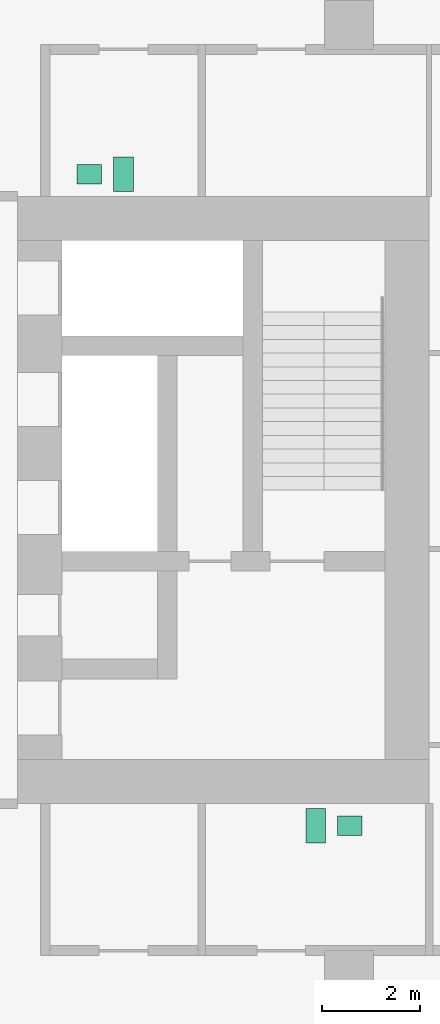
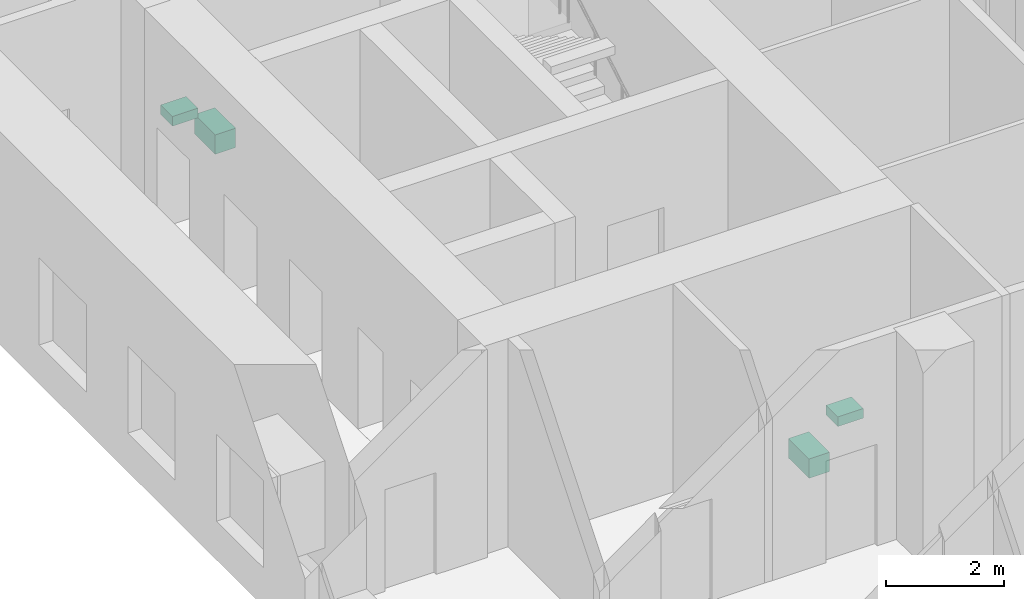
# One storey, part 19 of 19: 4 sanitary terminals.
"""IFC4 building model written with IfcOpenShell, lengths in metres."""

from ifc_helpers import new_model, si_unit, direction, frame, origin, origin_2d, place, context, subcontext, project, spatial, rectangle, extrude, element, save


model = new_model("IFC4")

# Units and contexts
model_context = context("Model", 3, precision=1e-05, world=origin(), true_north=direction((0.0, 1.0)))
body_context = subcontext(model_context, "Body", "Model", "MODEL_VIEW")
ifc_project = project(units=[si_unit("LENGTHUNIT", "METRE"), si_unit("AREAUNIT", "SQUARE_METRE"), si_unit("VOLUMEUNIT", "CUBIC_METRE"), si_unit("PLANEANGLEUNIT", "RADIAN"), si_unit("MASSUNIT", "GRAM", prefix="KILO")], contexts=[model_context])

# Site, building, storey
site_placement = place(None, origin())
site = spatial("IfcSite", under=ifc_project, at=site_placement, CompositionType="ELEMENT")
building_placement = place(site_placement, origin())
building = spatial("IfcBuilding", under=site, at=building_placement, Name="Tuart Gate Housing", CompositionType="ELEMENT")
storey_placement = place(building_placement, frame((0.0, 0.0, 10.10009765625)))
storey = spatial("IfcBuildingStorey", under=building, at=storey_placement, Name="L02", CompositionType="ELEMENT", Elevation=10.10009765625)

# Sanitary terminals
sanitary_terminal_1_placement = place(storey_placement, frame((166.320068359375, 63.35009765625, 0.0), z_axis=(0.0, 0.0, 1.0), x_axis=(1.0, 0.0, 0.0)))
element("IfcSanitaryTerminal", 1, at=sanitary_terminal_1_placement, inside=storey, Name="Water closet", PredefinedType="TOILETPAN", context=body_context, shape_type="SweptSolid", body=[
    extrude(rectangle(XDim=0.39990234375, YDim=0.699951171875, at=origin_2d()), origin(), (0.0, 0.0, 1.0), 0.39990234375),
])
sanitary_terminal_2_placement = place(storey_placement, frame((167.02001953125, 63.35009765625, 0.75), z_axis=(0.0, 0.0, 1.0), x_axis=(1.0, 0.0, 0.0)))
element("IfcSanitaryTerminal", 2, at=sanitary_terminal_2_placement, inside=storey, Name="Wash basin", PredefinedType="WASHHANDBASIN", context=body_context, shape_type="SweptSolid", body=[
    extrude(rectangle(XDim=0.5, YDim=0.39990234375, at=origin_2d()), origin(), (0.0, 0.0, 1.0), 0.199951171875),
])
sanitary_terminal_3_placement = place(storey_placement, frame((162.39990234375, 76.64990234375, 0.0), z_axis=(0.0, 0.0, 1.0), x_axis=(1.0, 0.0, 0.0)))
element("IfcSanitaryTerminal", 3, at=sanitary_terminal_3_placement, inside=storey, Name="Water closet", PredefinedType="TOILETPAN", context=body_context, shape_type="SweptSolid", body=[
    extrude(rectangle(XDim=0.39990234375, YDim=0.699951171875, at=origin_2d()), origin(), (0.0, 0.0, 1.0), 0.39990234375),
])
sanitary_terminal_4_placement = place(storey_placement, frame((161.699951171875, 76.64990234375, 0.75), z_axis=(0.0, 0.0, 1.0), x_axis=(1.0, 0.0, 0.0)))
element("IfcSanitaryTerminal", 4, at=sanitary_terminal_4_placement, inside=storey, Name="Wash basin", PredefinedType="WASHHANDBASIN", context=body_context, shape_type="SweptSolid", body=[
    extrude(rectangle(XDim=0.5, YDim=0.39990234375, at=origin_2d()), origin(), (0.0, 0.0, 1.0), 0.199951171875),
])

save(model, "model.ifc")
